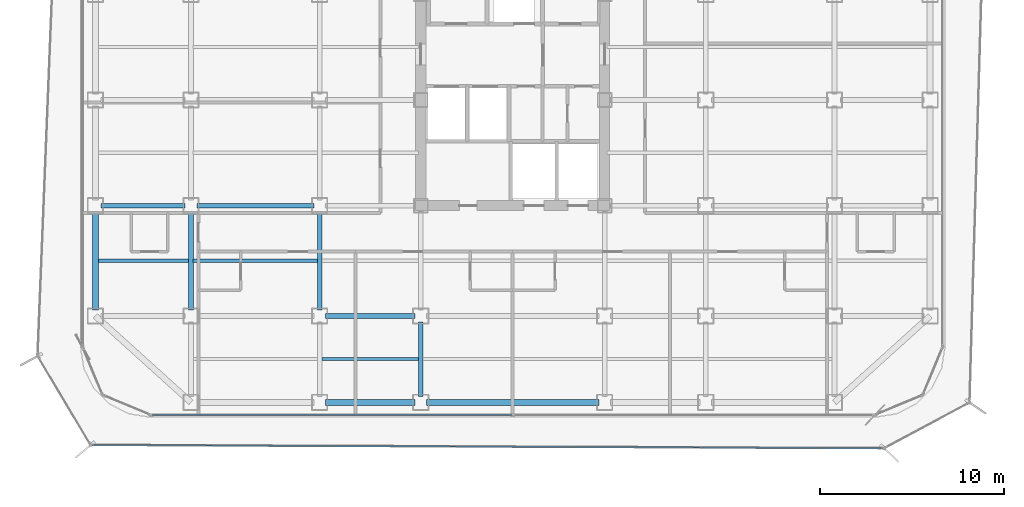
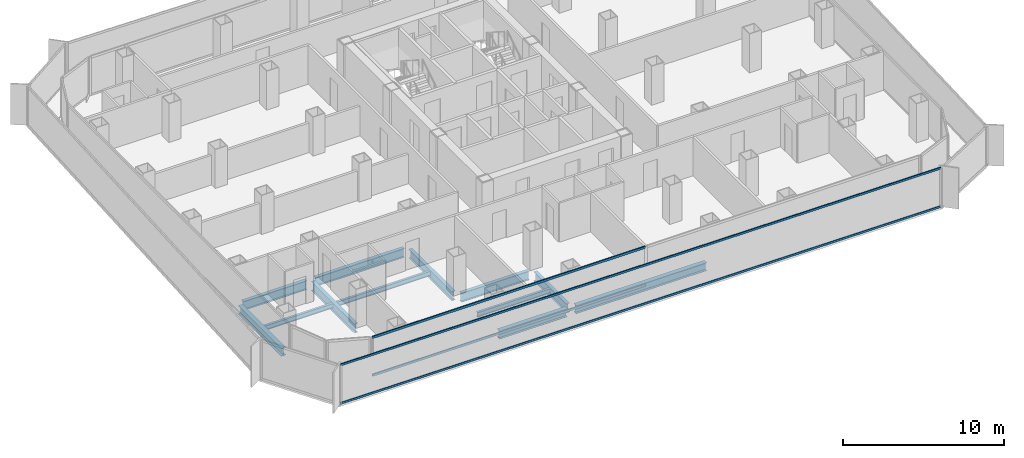
# One storey, part 3 of 21: 12 beams, 4 members, 2 elements without a shape of their own.
"""IFC4 building model written with IfcOpenShell, lengths in metres."""

from ifc_helpers import new_model, si_unit, direction, frame, origin, origin_2d, place, context, subcontext, project, spatial, hollow_rectangle, i_section, extrude, source, transform, mapped, material, layer, layer_set, material_profile, profile_set, type_object, element, aggregate, save


model = new_model("IFC4")

# Units and contexts
model_context = context("Model", 3, precision=1e-05, world=origin(), true_north=direction((0.0, 1.0)))
body_context = subcontext(model_context, "Body", "Model", "MODEL_VIEW")
ifc_project = project(units=[si_unit("LENGTHUNIT", "METRE"), si_unit("AREAUNIT", "SQUARE_METRE"), si_unit("VOLUMEUNIT", "CUBIC_METRE"), si_unit("PLANEANGLEUNIT", "RADIAN"), si_unit("MASSUNIT", "GRAM", prefix="KILO")], contexts=[model_context])

# Site, building, storey
site_placement = place(None, origin())
site = spatial("IfcSite", under=ifc_project, at=site_placement, CompositionType="ELEMENT")
building_placement = place(site_placement, origin())
building = spatial("IfcBuilding", under=site, at=building_placement, Name="Kolveth Station Tower", CompositionType="ELEMENT")
storey_placement = place(building_placement, frame((0.0, 0.0, 108.699951171875)))
storey = spatial("IfcBuildingStorey", under=building, at=storey_placement, Name="L29", CompositionType="ELEMENT", Elevation=108.699951171875)

# Beams
ifc_material_1 = material(Name="Steel S355", Category="steel")
ifc_material_profile_1 = material_profile(ifc_material_1, i_section(OverallWidth=0.323974609375, OverallDepth=0.611083984375, WebThickness=0.0126953125, FlangeThickness=0.01904296875, at=origin_2d()), Name="W610x155")
ifc_profile_set_1 = profile_set([ifc_material_profile_1], Name="Steel S355")
beam_type_1 = type_object("IfcBeamType", Name="Beam_SP2", PredefinedType="SPANDREL", material=ifc_profile_set_1)
shared_shape_1 = source(origin(), body_context, "Body", "SweptSolid", [
    extrude(i_section(OverallWidth=0.323974609375, OverallDepth=0.611083984375, WebThickness=0.0126953125, FlangeThickness=0.01904296875, at=origin_2d()), origin(), (0.0, 0.0, 1.0), 4.85986328125),
])
beam_1_placement = place(storey_placement, frame((13.320068359375, 0.800048828125, -0.555419921875), z_axis=(1.0, 0.0, 0.0), x_axis=(0.0, 1.0, 0.0)))
element("IfcBeam", 1, at=beam_1_placement, inside=storey, type_object=beam_type_1, Name="L29 Perimeter Spandrel BM-L29-PS-2", PredefinedType="SPANDREL", context=body_context, shape_type="MappedRepresentation", body=[
    mapped(shared_shape_1, transform((0.0, 0.0, 0.0), x_axis=(1.0, 0.0, 0.0), y_axis=(0.0, 1.0, 0.0), z_axis=(0.0, 0.0, 1.0), scale=1.0)),
])
shared_shape_2 = source(origin(), body_context, "Body", "SweptSolid", [
    extrude(i_section(OverallWidth=0.323974609375, OverallDepth=0.611083984375, WebThickness=0.0126953125, FlangeThickness=0.01904296875, at=origin_2d()), origin(), (0.0, 0.0, 1.0), 9.35986328125),
])
beam_2_placement = place(storey_placement, frame((18.820068359375, 0.800048828125, -0.555419921875), z_axis=(1.0, 0.0, 0.0), x_axis=(0.0, 1.0, 0.0)))
element("IfcBeam", 2, at=beam_2_placement, inside=storey, type_object=beam_type_1, Name="L29 Perimeter Spandrel BM-L29-PS-3", PredefinedType="SPANDREL", context=body_context, shape_type="MappedRepresentation", body=[
    mapped(shared_shape_2, transform((0.0, 0.0, 0.0), x_axis=(1.0, 0.0, 0.0), y_axis=(0.0, 1.0, 0.0), z_axis=(0.0, 0.0, 1.0), scale=1.0)),
])
shared_shape_3 = source(origin(), body_context, "Body", "SweptSolid", [
    extrude(i_section(OverallWidth=0.323974609375, OverallDepth=0.611083984375, WebThickness=0.0126953125, FlangeThickness=0.01904296875, at=origin_2d()), origin(), (0.0, 0.0, 1.0), 5.35986328125),
])
beam_3_placement = place(storey_placement, frame((0.800048828125, 5.820068359375, -0.555419921875), z_axis=(0.0, 1.0, 0.0), x_axis=(-1.0, 0.0, 0.0)))
element("IfcBeam", 3, at=beam_3_placement, inside=storey, type_object=beam_type_1, Name="L29 Perimeter Spandrel BM-L29-PW-1", PredefinedType="SPANDREL", context=body_context, shape_type="MappedRepresentation", body=[
    mapped(shared_shape_3, transform((0.0, 0.0, 0.0), x_axis=(1.0, 0.0, 0.0), y_axis=(0.0, 1.0, 0.0), z_axis=(0.0, 0.0, 1.0), scale=1.0)),
])
ifc_material_profile_2 = material_profile(ifc_material_1, i_section(OverallWidth=0.25390625, OverallDepth=0.68798828125, WebThickness=0.01318359375, FlangeThickness=0.02099609375, at=origin_2d()), Name="W690x152")
ifc_profile_set_2 = profile_set([ifc_material_profile_2], Name="Steel S355")
beam_type_2 = type_object("IfcBeamType", Name="Beam_B4", PredefinedType="BEAM", material=ifc_profile_set_2)
shared_shape_4 = source(origin(), body_context, "Body", "SweptSolid", [
    extrude(i_section(OverallWidth=0.25390625, OverallDepth=0.68798828125, WebThickness=0.01318359375, FlangeThickness=0.02099609375, at=origin_2d()), origin(), (0.0, 0.0, 1.0), 4.559814453125),
])
beam_4_placement = place(storey_placement, frame((1.1201171875, 11.5, -0.593994140625), z_axis=(1.0, 0.0, 0.0), x_axis=(0.0, 1.0, 0.0)))
element("IfcBeam", 4, at=beam_4_placement, inside=storey, type_object=beam_type_2, Name="L29 Primary Girder BM-L29-GY115-1", PredefinedType="BEAM", context=body_context, shape_type="MappedRepresentation", body=[
    mapped(shared_shape_4, transform((0.0, 0.0, 0.0), x_axis=(1.0, 0.0, 0.0), y_axis=(0.0, 1.0, 0.0), z_axis=(0.0, 0.0, 1.0), scale=1.0)),
])
shared_shape_5 = source(origin(), body_context, "Body", "SweptSolid", [
    extrude(i_section(OverallWidth=0.25390625, OverallDepth=0.68798828125, WebThickness=0.01318359375, FlangeThickness=0.02099609375, at=origin_2d()), origin(), (0.0, 0.0, 1.0), 6.35986328125),
])
beam_5_placement = place(storey_placement, frame((6.320068359375, 11.5, -0.593994140625), z_axis=(1.0, 0.0, 0.0), x_axis=(0.0, 1.0, 0.0)))
element("IfcBeam", 5, at=beam_5_placement, inside=storey, type_object=beam_type_2, Name="L29 Primary Girder BM-L29-GY115-2", PredefinedType="BEAM", context=body_context, shape_type="MappedRepresentation", body=[
    mapped(shared_shape_5, transform((0.0, 0.0, 0.0), x_axis=(1.0, 0.0, 0.0), y_axis=(0.0, 1.0, 0.0), z_axis=(0.0, 0.0, 1.0), scale=1.0)),
])
shared_shape_6 = source(origin(), body_context, "Body", "SweptSolid", [
    extrude(i_section(OverallWidth=0.25390625, OverallDepth=0.68798828125, WebThickness=0.01318359375, FlangeThickness=0.02099609375, at=origin_2d()), origin(), (0.0, 0.0, 1.0), 4.85986328125),
])
beam_6_placement = place(storey_placement, frame((13.320068359375, 5.5, -0.593994140625), z_axis=(1.0, 0.0, 0.0), x_axis=(0.0, 1.0, 0.0)))
element("IfcBeam", 6, at=beam_6_placement, inside=storey, type_object=beam_type_2, Name="L29 Primary Girder BM-L29-GY55-3", PredefinedType="BEAM", context=body_context, shape_type="MappedRepresentation", body=[
    mapped(shared_shape_6, transform((0.0, 0.0, 0.0), x_axis=(1.0, 0.0, 0.0), y_axis=(0.0, 1.0, 0.0), z_axis=(0.0, 0.0, 1.0), scale=1.0)),
])
shared_shape_7 = source(origin(), body_context, "Body", "SweptSolid", [
    extrude(i_section(OverallWidth=0.25390625, OverallDepth=0.68798828125, WebThickness=0.01318359375, FlangeThickness=0.02099609375, at=origin_2d()), origin(), (0.0, 0.0, 1.0), 4.059814453125),
])
beam_7_placement = place(storey_placement, frame((18.5, 1.1201171875, -0.593994140625), z_axis=(0.0, 1.0, 0.0), x_axis=(-1.0, 0.0, 0.0)))
element("IfcBeam", 7, at=beam_7_placement, inside=storey, type_object=beam_type_2, Name="L29 Primary Girder BM-L29-GX185-1", PredefinedType="BEAM", context=body_context, shape_type="MappedRepresentation", body=[
    mapped(shared_shape_7, transform((0.0, 0.0, 0.0), x_axis=(1.0, 0.0, 0.0), y_axis=(0.0, 1.0, 0.0), z_axis=(0.0, 0.0, 1.0), scale=1.0)),
])
shared_shape_8 = source(origin(), body_context, "Body", "SweptSolid", [
    extrude(i_section(OverallWidth=0.25390625, OverallDepth=0.68798828125, WebThickness=0.01318359375, FlangeThickness=0.02099609375, at=origin_2d()), origin(), (0.0, 0.0, 1.0), 5.35986328125),
])
for number, where, z_axis, x_axis, name in (
    (8, (6.0, 5.820068359375, -0.593994140625), (0.0, 1.0, 0.0), (-1.0, 0.0, 0.0), "L29 Primary Girder BM-L29-GX60-2"),
    (9, (13.0, 5.820068359375, -0.593994140625), (0.0, 1.0, 0.0), (-1.0, 0.0, 0.0), "L29 Primary Girder BM-L29-GX130-2"),
):
    element("IfcBeam", number, at=place(storey_placement, frame(where, z_axis=z_axis, x_axis=x_axis)), inside=storey, type_object=beam_type_2, Name=name, PredefinedType="BEAM", context=body_context, shape_type="MappedRepresentation", body=[
        mapped(shared_shape_8, transform((0.0, 0.0, 0.0), x_axis=(1.0, 0.0, 0.0), y_axis=(0.0, 1.0, 0.0), z_axis=(0.0, 0.0, 1.0), scale=1.0)),
    ])
ifc_material_profile_3 = material_profile(ifc_material_1, i_section(OverallWidth=0.1708984375, OverallDepth=0.35205078125, WebThickness=0.0068359375, FlangeThickness=0.009765625, at=origin_2d()), Name="W360x44")
ifc_profile_set_3 = profile_set([ifc_material_profile_3], Name="Steel S355")
beam_type_3 = type_object("IfcBeamType", Name="Beam_J2", PredefinedType="JOIST", material=ifc_profile_set_3)
shared_shape_9 = source(origin(), body_context, "Body", "SweptSolid", [
    extrude(i_section(OverallWidth=0.1708984375, OverallDepth=0.35205078125, WebThickness=0.0068359375, FlangeThickness=0.009765625, at=origin_2d()), origin(), (0.0, 0.0, 1.0), 4.9150390625),
])
beam_8_placement = place(storey_placement, frame((0.9599609375, 8.5, -0.426025390625), z_axis=(1.0, 0.0, 0.0), x_axis=(0.0, 1.0, 0.0)))
element("IfcBeam", 10, at=beam_8_placement, inside=storey, type_object=beam_type_3, Name="L29 Secondary Joist JST-L29-1-2", PredefinedType="JOIST", context=body_context, shape_type="MappedRepresentation", body=[
    mapped(shared_shape_9, transform((0.0, 0.0, 0.0), x_axis=(1.0, 0.0, 0.0), y_axis=(0.0, 1.0, 0.0), z_axis=(0.0, 0.0, 1.0), scale=1.0)),
])
shared_shape_10 = source(origin(), body_context, "Body", "SweptSolid", [
    extrude(i_section(OverallWidth=0.1708984375, OverallDepth=0.35205078125, WebThickness=0.0068359375, FlangeThickness=0.009765625, at=origin_2d()), origin(), (0.0, 0.0, 1.0), 6.75),
])
beam_9_placement = place(storey_placement, frame((6.125, 8.5, -0.426025390625), z_axis=(1.0, 0.0, 0.0), x_axis=(0.0, 1.0, 0.0)))
element("IfcBeam", 11, at=beam_9_placement, inside=storey, type_object=beam_type_3, Name="L29 Secondary Joist JST-L29-2-2", PredefinedType="JOIST", context=body_context, shape_type="MappedRepresentation", body=[
    mapped(shared_shape_10, transform((0.0, 0.0, 0.0), x_axis=(1.0, 0.0, 0.0), y_axis=(0.0, 1.0, 0.0), z_axis=(0.0, 0.0, 1.0), scale=1.0)),
])
shared_shape_11 = source(origin(), body_context, "Body", "SweptSolid", [
    extrude(i_section(OverallWidth=0.1708984375, OverallDepth=0.35205078125, WebThickness=0.0068359375, FlangeThickness=0.009765625, at=origin_2d()), origin(), (0.0, 0.0, 1.0), 5.25),
])
beam_10_placement = place(storey_placement, frame((13.125, 3.14990234375, -0.426025390625), z_axis=(1.0, 0.0, 0.0), x_axis=(0.0, 1.0, 0.0)))
element("IfcBeam", 12, at=beam_10_placement, inside=storey, type_object=beam_type_3, Name="L29 Secondary Joist JST-L29-3-1", PredefinedType="JOIST", context=body_context, shape_type="MappedRepresentation", body=[
    mapped(shared_shape_11, transform((0.0, 0.0, 0.0), x_axis=(1.0, 0.0, 0.0), y_axis=(0.0, 1.0, 0.0), z_axis=(0.0, 0.0, 1.0), scale=1.0)),
])

# Curtain wall, members
ifc_material_2 = material(Name="Aluminium 6063-T6 and low-E dark glass", Category="aluminium")
ifc_layer_1 = layer(ifc_material_2, 0.18994140625)
ifc_layer_set_1 = layer_set([ifc_layer_1], Name="Aluminium 6063-T6 and low-E dark glass")
curtain_wall_type_1 = type_object("IfcCurtainWallType", Name="CurtainWall_CW-Z2", PredefinedType="NOTDEFINED", material=ifc_layer_set_1)
curtain_wall_1_placement = place(storey_placement, origin())
curtain_wall_1 = element("IfcCurtainWall", 13, at=curtain_wall_1_placement, inside=storey, type_object=curtain_wall_type_1, Name="L29 Inner Thermal Curtain Wall 12", PredefinedType="NOTDEFINED")
ifc_material_3 = material(Name="Black anodized aluminium 6063-T6", Category="aluminium")
ifc_material_profile_4 = material_profile(ifc_material_3, hollow_rectangle(XDim=0.080078125, YDim=0.169921875, WallThickness=0.0048828125, at=origin_2d()), Name="ALU-80x170x5")
ifc_profile_set_4 = profile_set([ifc_material_profile_4], Name="Black anodized aluminium 6063-T6")
member_type_1 = type_object("IfcMemberType", Name="Transom_TR2", PredefinedType="USERDEFINED", material=ifc_profile_set_4)
shared_shape_12 = source(origin(), body_context, "Body", "SweptSolid", [
    extrude(hollow_rectangle(XDim=0.080078125, YDim=0.169921875, WallThickness=0.0048828125, at=origin_2d()), origin(), (0.0, 0.0, 1.0), 19.580078125),
])
member_1_placement = place(storey_placement, frame((3.8798828125, 0.1201171875, 0.0400390625), z_axis=(1.0, 0.0, 0.0), x_axis=(0.0, 1.0, 0.0)))
member_1 = element("IfcMember", 14, at=member_1_placement, type_object=member_type_1, Name="CW-Z2 transom 1.1", ObjectType="TRANSOM", PredefinedType="USERDEFINED", context=body_context, shape_type="MappedRepresentation", body=[
    mapped(shared_shape_12, transform((0.0, 0.0, 0.0), x_axis=(1.0, 0.0, 0.0), y_axis=(0.0, 1.0, 0.0), z_axis=(0.0, 0.0, 1.0), scale=1.0)),
])
member_2_placement = place(storey_placement, frame((3.8798828125, 0.1201171875, 2.91015625), z_axis=(1.0, 0.0, 0.0), x_axis=(0.0, 1.0, 0.0)))
member_2 = element("IfcMember", 15, at=member_2_placement, type_object=member_type_1, Name="CW-Z2 transom 1.2", ObjectType="TRANSOM", PredefinedType="USERDEFINED", context=body_context, shape_type="MappedRepresentation", body=[
    mapped(shared_shape_12, transform((0.0, 0.0, 0.0), x_axis=(1.0, 0.0, 0.0), y_axis=(0.0, 1.0, 0.0), z_axis=(0.0, 0.0, 1.0), scale=1.0)),
])
aggregate(curtain_wall_1, [member_1, member_2])

ifc_material_4 = material(Name="Black anodized aluminium 6063-T6 and dark solar glass", Category="aluminium")
ifc_layer_2 = layer(ifc_material_4, 0.159912109375)
ifc_layer_set_2 = layer_set([ifc_layer_2], Name="Black anodized aluminium 6063-T6 and dark solar glass")
curtain_wall_type_2 = type_object("IfcCurtainWallType", Name="OUTER SKIN CW-OS", PredefinedType="NOTDEFINED", material=ifc_layer_set_2)
curtain_wall_2_placement = place(storey_placement, origin())
curtain_wall_2 = element("IfcCurtainWall", 16, at=curtain_wall_2_placement, inside=storey, type_object=curtain_wall_type_2, Name="L29 Outer Ventilated Skin Curtain Wall 8", PredefinedType="NOTDEFINED")
ifc_material_profile_5 = material_profile(ifc_material_3, hollow_rectangle(XDim=0.080078125, YDim=0.14990234375, WallThickness=0.0048828125, at=origin_2d()), Name="ALU-80x150x5")
ifc_profile_set_5 = profile_set([ifc_material_profile_5], Name="Black anodized aluminium 6063-T6")
member_type_2 = type_object("IfcMemberType", Name="Transom_TR-OS", PredefinedType="USERDEFINED", material=ifc_profile_set_5)
shared_shape_13 = source(origin(), body_context, "Body", "SweptSolid", [
    extrude(hollow_rectangle(XDim=0.080078125, YDim=0.14990234375, WallThickness=0.0048828125, at=origin_2d()), origin(), (0.0, 0.0, 1.0), 42.97705078125),
])
member_3_placement = place(storey_placement, frame((0.640625, -1.518798828125, 0.0400390625), z_axis=(0.999991565625, -0.004107149807, 0.0), x_axis=(0.004107149807, 0.999991565625, 0.0)))
member_3 = element("IfcMember", 17, at=member_3_placement, type_object=member_type_2, Name="CW-OS transom 1.1", ObjectType="TRANSOM", PredefinedType="USERDEFINED", context=body_context, shape_type="MappedRepresentation", body=[
    mapped(shared_shape_13, transform((0.0, 0.0, 0.0), x_axis=(1.0, 0.0, 0.0), y_axis=(0.0, 1.0, 0.0), z_axis=(0.0, 0.0, 1.0), scale=1.0)),
])
member_4_placement = place(storey_placement, frame((0.640625, -1.518798828125, 2.949951171875), z_axis=(0.999991565625, -0.004107149807, 0.0), x_axis=(0.004107149807, 0.999991565625, 0.0)))
member_4 = element("IfcMember", 18, at=member_4_placement, type_object=member_type_2, Name="CW-OS transom 1.2", ObjectType="TRANSOM", PredefinedType="USERDEFINED", context=body_context, shape_type="MappedRepresentation", body=[
    mapped(shared_shape_13, transform((0.0, 0.0, 0.0), x_axis=(1.0, 0.0, 0.0), y_axis=(0.0, 1.0, 0.0), z_axis=(0.0, 0.0, 1.0), scale=1.0)),
])
aggregate(curtain_wall_2, [member_3, member_4])

save(model, "model.ifc")
